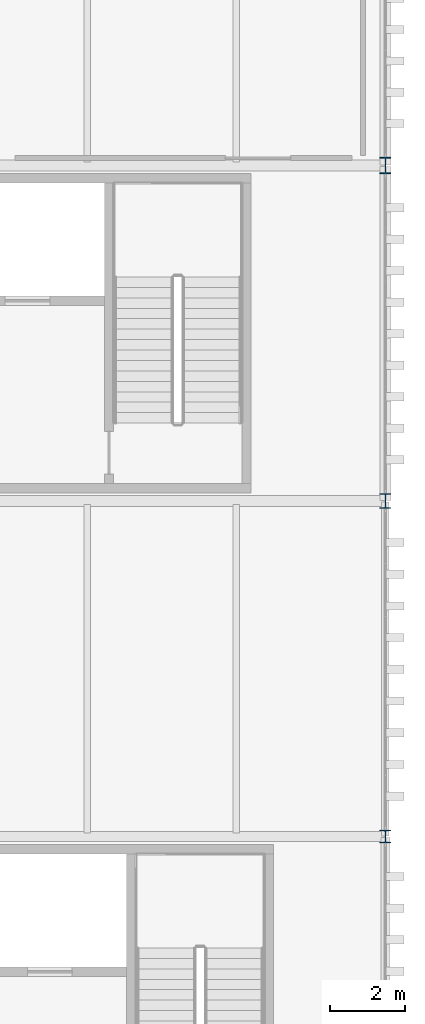
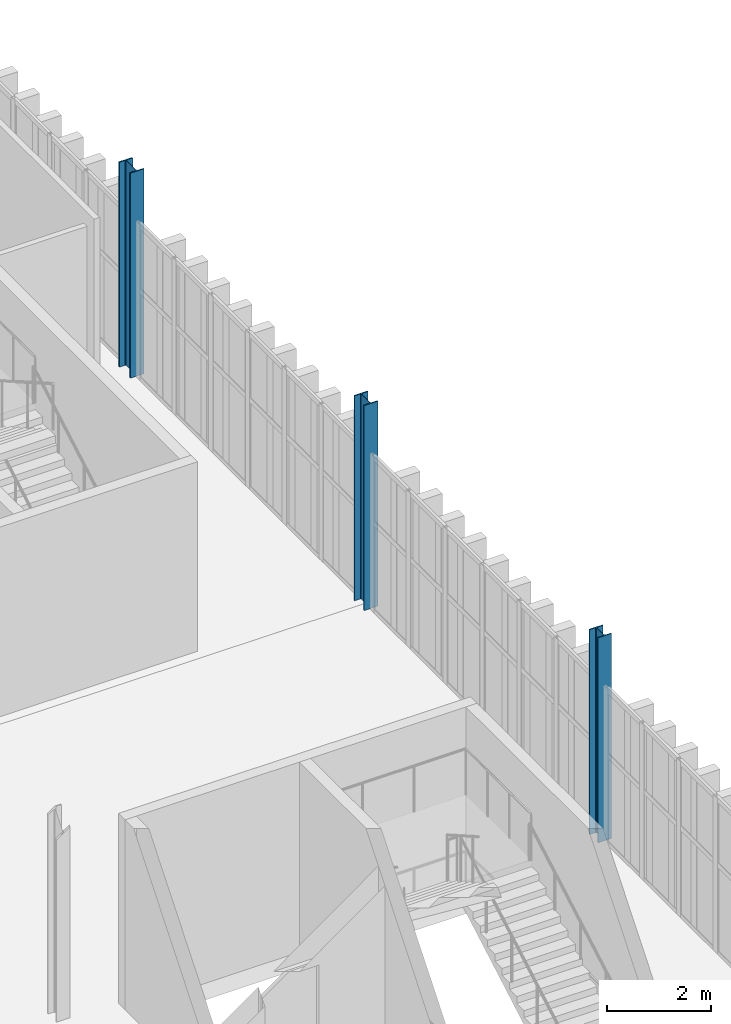
# One storey, part 12 of 196: 3 columns.
"""IFC4 building model written with IfcOpenShell, lengths in metres."""

from ifc_helpers import new_model, si_unit, direction, frame, origin, origin_2d, place, context, subcontext, project, spatial, i_section, extrude, material, material_profile, profile_set, type_object, element, save


model = new_model("IFC4")

# Units and contexts
model_context = context("Model", 3, precision=1e-05, world=origin(), true_north=direction((0.0, 1.0)))
body_context = subcontext(model_context, "Body", "Model", "MODEL_VIEW")
ifc_project = project(units=[si_unit("LENGTHUNIT", "METRE"), si_unit("AREAUNIT", "SQUARE_METRE"), si_unit("VOLUMEUNIT", "CUBIC_METRE"), si_unit("PLANEANGLEUNIT", "RADIAN"), si_unit("MASSUNIT", "GRAM", prefix="KILO")], contexts=[model_context])

# Site, building, storey
site_placement = place(None, origin())
site = spatial("IfcSite", under=ifc_project, at=site_placement, CompositionType="ELEMENT")
building_placement = place(site_placement, origin())
building = spatial("IfcBuilding", under=site, at=building_placement, Name="Barlavento Convention Centre", CompositionType="ELEMENT")
storey_placement = place(building_placement, frame((0.0, 0.0, 18.0)))
storey = spatial("IfcBuildingStorey", under=building, at=storey_placement, Name="L03", CompositionType="ELEMENT", Elevation=18.0)

# Columns
ifc_material = material(Name="Steel S355", Category="steel")
ifc_material_profile_1 = material_profile(ifc_material, i_section(OverallWidth=0.300048828125, OverallDepth=0.340087890625, WebThickness=0.011962890625, FlangeThickness=0.021484375, FilletRadius=0.027099609375, at=origin_2d()), Name="HEB 340")
ifc_profile_set_1 = profile_set([ifc_material_profile_1], Name="Steel S355")
column_type_1 = type_object("IfcColumnType", Name="STR-COL-HEB340", PredefinedType="COLUMN", material=ifc_profile_set_1)
column_1_placement = place(storey_placement, frame((192.0, 45.0, 0.0), z_axis=(0.0, 0.0, 1.0), x_axis=(1.0, 0.0, 0.0)))
element("IfcColumn", 1, at=column_1_placement, inside=storey, type_object=column_type_1, Name="L03 column SC12", PredefinedType="COLUMN", context=body_context, shape_type="SweptSolid", body=[
    extrude(i_section(OverallWidth=0.300048828125, OverallDepth=0.340087890625, WebThickness=0.011962890625, FlangeThickness=0.021484375, FilletRadius=0.027099609375, at=origin_2d()), origin(), (0.0, 0.0, 1.0), 4.800048828125),
])
ifc_material_profile_2 = material_profile(ifc_material, i_section(OverallWidth=0.300048828125, OverallDepth=0.39990234375, WebThickness=0.013427734375, FlangeThickness=0.02392578125, FilletRadius=0.027099609375, at=origin_2d()), Name="HEB 400")
ifc_profile_set_2 = profile_set([ifc_material_profile_2], Name="Steel S355")
column_type_2 = type_object("IfcColumnType", Name="STR-COL-HEB400", PredefinedType="COLUMN", material=ifc_profile_set_2)
column_2_placement = place(storey_placement, frame((192.0, 54.0, 0.0), z_axis=(0.0, 0.0, 1.0), x_axis=(1.0, 0.0, 0.0)))
element("IfcColumn", 2, at=column_2_placement, inside=storey, type_object=column_type_2, Name="L03 column SC11", PredefinedType="COLUMN", context=body_context, shape_type="SweptSolid", body=[
    extrude(i_section(OverallWidth=0.300048828125, OverallDepth=0.39990234375, WebThickness=0.013427734375, FlangeThickness=0.02392578125, FilletRadius=0.027099609375, at=origin_2d()), origin(), (0.0, 0.0, 1.0), 4.800048828125),
])
ifc_material_profile_3 = material_profile(ifc_material, i_section(OverallWidth=0.300048828125, OverallDepth=0.449951171875, WebThickness=0.013916015625, FlangeThickness=0.02587890625, FilletRadius=0.027099609375, at=origin_2d()), Name="HEB 450")
ifc_profile_set_3 = profile_set([ifc_material_profile_3], Name="Steel S355")
column_type_3 = type_object("IfcColumnType", Name="STR-COL-HEB450", PredefinedType="COLUMN", material=ifc_profile_set_3)
column_3_placement = place(storey_placement, frame((192.0, 63.0, 0.0), z_axis=(0.0, 0.0, 1.0), x_axis=(1.0, 0.0, 0.0)))
element("IfcColumn", 3, at=column_3_placement, inside=storey, type_object=column_type_3, Name="L03 column SC10", PredefinedType="COLUMN", context=body_context, shape_type="SweptSolid", body=[
    extrude(i_section(OverallWidth=0.300048828125, OverallDepth=0.449951171875, WebThickness=0.013916015625, FlangeThickness=0.02587890625, FilletRadius=0.027099609375, at=origin_2d()), origin(), (0.0, 0.0, 1.0), 4.800048828125),
])

save(model, "model.ifc")
